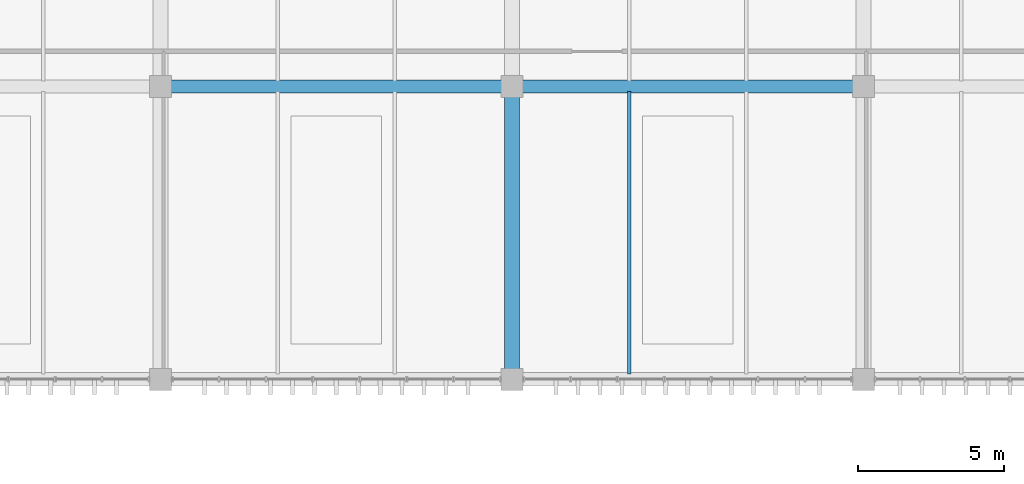
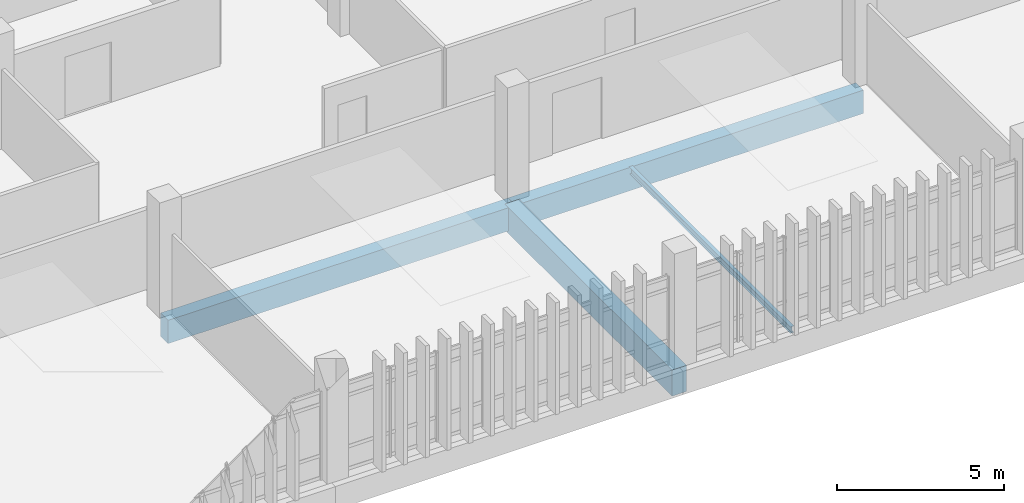
# One storey, part 37 of 111: 4 beams.
"""IFC4 building model written with IfcOpenShell, lengths in metres."""

from ifc_helpers import new_model, si_unit, direction, frame, origin, origin_2d, place, context, subcontext, project, spatial, rectangle, i_section, extrude, material, material_profile, profile_set, type_object, element, save


model = new_model("IFC4")

# Units and contexts
model_context = context("Model", 3, precision=1e-05, world=origin(), true_north=direction((0.0, 1.0)))
body_context = subcontext(model_context, "Body", "Model", "MODEL_VIEW")
ifc_project = project(units=[si_unit("LENGTHUNIT", "METRE"), si_unit("AREAUNIT", "SQUARE_METRE"), si_unit("VOLUMEUNIT", "CUBIC_METRE"), si_unit("PLANEANGLEUNIT", "RADIAN"), si_unit("MASSUNIT", "GRAM", prefix="KILO")], contexts=[model_context])

# Site, building, storey
site_placement = place(None, origin())
site = spatial("IfcSite", under=ifc_project, at=site_placement, CompositionType="ELEMENT")
building_placement = place(site_placement, origin())
building = spatial("IfcBuilding", under=site, at=building_placement, Name="Mersad Railyard Sports Hall", CompositionType="ELEMENT")
storey_placement = place(building_placement, frame((0.0, 0.0, 9.0)))
storey = spatial("IfcBuildingStorey", under=building, at=storey_placement, Name="L02", CompositionType="ELEMENT", Elevation=9.0)

# Beams
ifc_material_1 = material(Name="Concrete C40/50", Category="concrete")
ifc_material_profile_1 = material_profile(ifc_material_1, rectangle(XDim=0.449951171875, YDim=0.85009765625, at=origin_2d()), Name="RC 450x850")
ifc_profile_set_1 = profile_set([ifc_material_profile_1], Name="Concrete C40/50")
beam_type_1 = type_object("IfcBeamType", Name="STR-BM-B02", PredefinedType="BEAM", material=ifc_profile_set_1)
for number, where, z_axis, x_axis, name in (
    (1, (67.0, 95.0, -0.72509765625), (1.0, 0.0, 0.0), (0.0, 1.0, 0.0), "Beam B02-1075"),
    (2, (79.0, 95.0, -0.72509765625), (1.0, 0.0, 0.0), (0.0, 1.0, 0.0), "Beam B02-1076"),
):
    element("IfcBeam", number, at=place(storey_placement, frame(where, z_axis=z_axis, x_axis=x_axis)), inside=storey, type_object=beam_type_1, Name=name, PredefinedType="BEAM", context=body_context, shape_type="SweptSolid", body=[
        extrude(rectangle(XDim=0.449951171875, YDim=0.85009765625, at=origin_2d()), origin(), (0.0, 0.0, 1.0), 12.0),
    ])
ifc_material_2 = material(Name="Concrete C50/60", Category="concrete")
ifc_material_profile_2 = material_profile(ifc_material_2, rectangle(XDim=0.5, YDim=0.949951171875, at=origin_2d()), Name="RC 500x950")
ifc_profile_set_2 = profile_set([ifc_material_profile_2], Name="Concrete C50/60")
beam_type_2 = type_object("IfcBeamType", Name="STR-BM-B03", PredefinedType="BEAM", material=ifc_profile_set_2)
beam_1_placement = place(storey_placement, frame((79.0, 85.0, -0.77490234375), z_axis=(0.0, 1.0, 0.0), x_axis=(-1.0, 0.0, 0.0)))
element("IfcBeam", 3, at=beam_1_placement, inside=storey, type_object=beam_type_2, Name="Beam B03-1106", PredefinedType="BEAM", context=body_context, shape_type="SweptSolid", body=[
    extrude(rectangle(XDim=0.5, YDim=0.949951171875, at=origin_2d()), origin(), (0.0, 0.0, 1.0), 10.0),
])
ifc_material_3 = material(Name="Steel S355", Category="steel")
ifc_material_profile_3 = material_profile(ifc_material_3, i_section(OverallWidth=0.1201171875, OverallDepth=0.239990234375, WebThickness=0.006103515625, FlangeThickness=0.009765625, at=origin_2d()), Name="IPE 240")
ifc_profile_set_3 = profile_set([ifc_material_profile_3], Name="Steel S355")
beam_type_3 = type_object("IfcBeamType", Name="STR-BM-SB03", PredefinedType="BEAM", material=ifc_profile_set_3)
beam_2_placement = place(storey_placement, frame((83.0, 85.179931640625, -0.419921875), z_axis=(0.0, 1.0, 0.0), x_axis=(-1.0, 0.0, 0.0)))
element("IfcBeam", 4, at=beam_2_placement, inside=storey, type_object=beam_type_3, Name="Beam SB03-1166", PredefinedType="BEAM", context=body_context, shape_type="SweptSolid", body=[
    extrude(i_section(OverallWidth=0.1201171875, OverallDepth=0.239990234375, WebThickness=0.006103515625, FlangeThickness=0.009765625, at=origin_2d()), origin(), (0.0, 0.0, 1.0), 9.64013671875),
])

save(model, "model.ifc")
